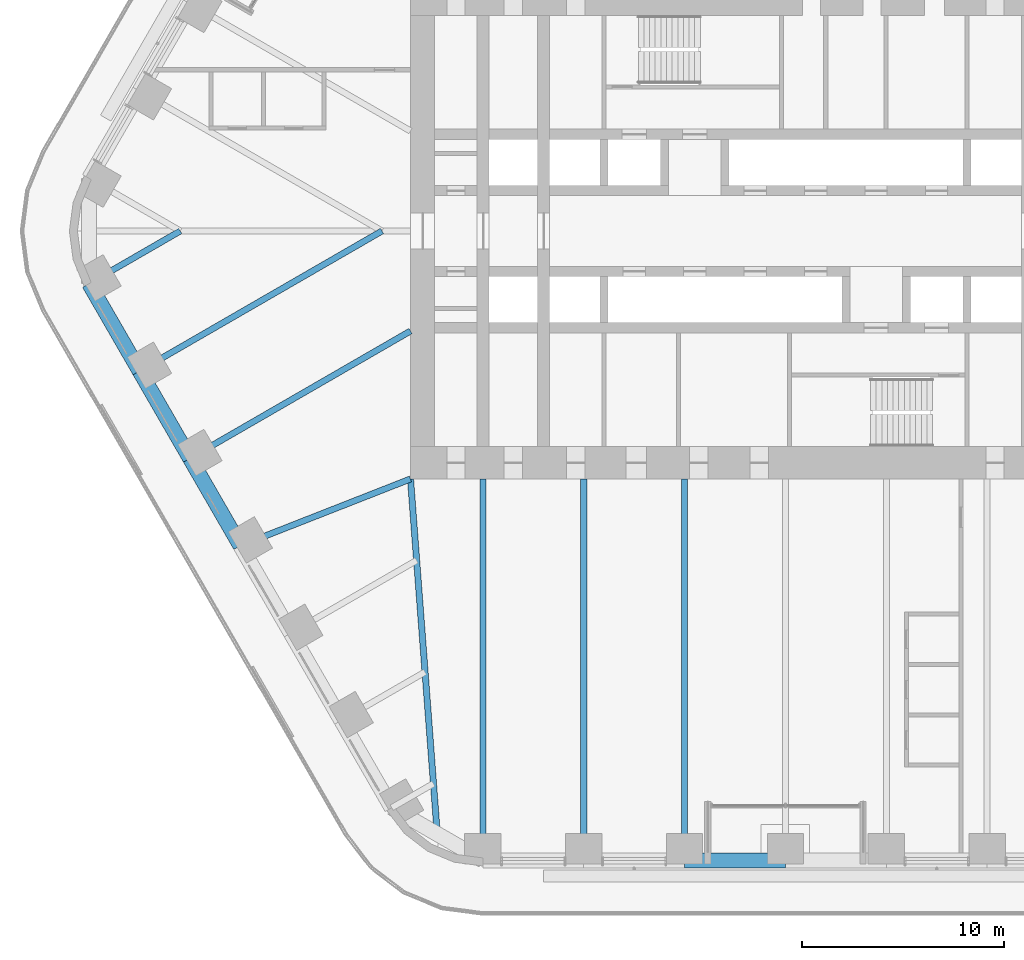
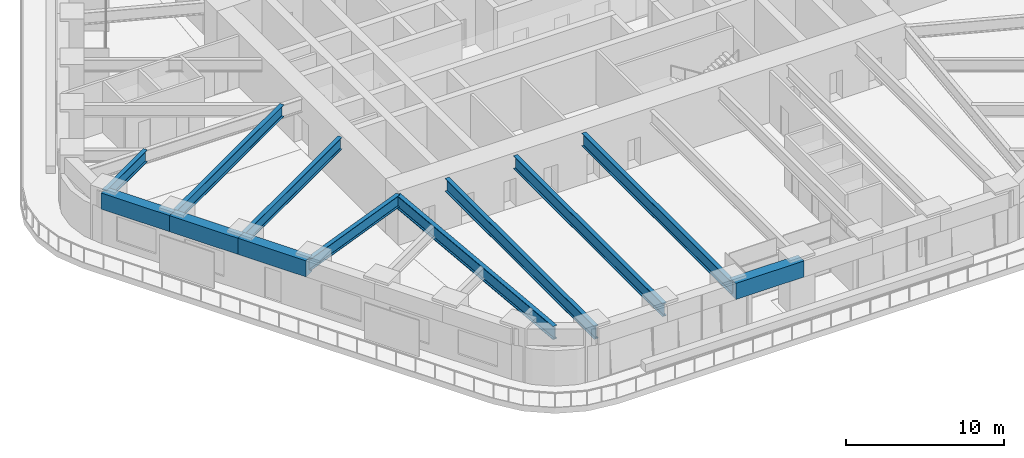
# One storey, part 3 of 24: 12 beams.
"""IFC4 building model written with IfcOpenShell, lengths in metres."""

from ifc_helpers import new_model, si_unit, direction, frame, origin, origin_2d, place, context, subcontext, project, spatial, rectangle, i_section, extrude, material, material_profile, profile_set, type_object, element, save


model = new_model("IFC4")

# Units and contexts
model_context = context("Model", 3, precision=1e-05, world=origin(), true_north=direction((0.0, 1.0)))
body_context = subcontext(model_context, "Body", "Model", "MODEL_VIEW")
ifc_project = project(units=[si_unit("LENGTHUNIT", "METRE"), si_unit("AREAUNIT", "SQUARE_METRE"), si_unit("VOLUMEUNIT", "CUBIC_METRE"), si_unit("PLANEANGLEUNIT", "RADIAN"), si_unit("MASSUNIT", "GRAM", prefix="KILO")], contexts=[model_context])

# Site, building, storey
site_placement = place(None, origin())
site = spatial("IfcSite", under=ifc_project, at=site_placement, CompositionType="ELEMENT")
building_placement = place(site_placement, origin())
building = spatial("IfcBuilding", under=site, at=building_placement, Name="Tarfa Lantern Tower", CompositionType="ELEMENT")
storey_placement = place(building_placement, frame((0.0, 0.0, 136.300048828125)))
storey = spatial("IfcBuildingStorey", under=building, at=storey_placement, Name="L30", CompositionType="ELEMENT", Elevation=136.300048828125)

# Beams
ifc_material_1 = material(Name="Concrete C80/95", Category="concrete")
ifc_material_profile_1 = material_profile(ifc_material_1, rectangle(XDim=0.75, YDim=1.25, at=origin_2d()), Name="RC 750x1250")
ifc_profile_set_1 = profile_set([ifc_material_profile_1], Name="Concrete C80/95")
beam_type_1 = type_object("IfcBeamType", Name="EB2 RC 750x1250", PredefinedType="SPANDREL", material=ifc_profile_set_1)
for number, where, z_axis, x_axis, name in (
    (1, (-34.54296875, -2.610107421875, 3.375), (0.500022324899, -0.866012514114, 0.0), (0.866012514114, 0.500022324899, 0.0), "Edge beam SW0"),
    (2, (-32.041015625, -6.943359375, 3.375), (0.500022324899, -0.866012514114, 0.0), (0.866012514114, 0.500022324899, 0.0), "Edge beam SW1"),
    (3, (-29.5390625, -11.276611328125, 3.375), (0.499964603504, -0.866045838996, 0.0), (0.866045838996, 0.499964603504, 0.0), "Edge beam SW2"),
    (4, (-5.003662109375, -31.219970703125, 3.375), (1.0, 0.0, 0.0), (0.0, 1.0, 0.0), "Edge beam S2"),
):
    element("IfcBeam", number, at=place(storey_placement, frame(where, z_axis=z_axis, x_axis=x_axis)), inside=storey, type_object=beam_type_1, Name=name, PredefinedType="SPANDREL", context=body_context, shape_type="SweptSolid", body=[
        extrude(rectangle(XDim=0.75, YDim=1.25, at=origin_2d()), origin(), (0.0, 0.0, 1.0), 5.003662109375),
    ])
ifc_material_2 = material(Name="Steel S460M", Category="steel")
ifc_material_profile_2 = material_profile(ifc_material_2, i_section(OverallWidth=0.302001953125, OverallDepth=1.008056640625, WebThickness=0.02099609375, FlangeThickness=0.0400390625, FilletRadius=0.030029296875, at=origin_2d()), Name="UB1016x305x349")
ifc_profile_set_2 = profile_set([ifc_material_profile_2], Name="Steel S460M")
beam_type_2 = type_object("IfcBeamType", Name="UB1016x305x349", PredefinedType="BEAM", material=ifc_profile_set_2)
for number, where, z_axis, x_axis, name in (
    (5, (-15.010986328125, -31.219970703125, 3.495849609375), (0.0, 1.0, 0.0), (-1.0, 0.0, 0.0), "Floor beam S0"),
    (6, (-10.00732421875, -31.219970703125, 3.495849609375), (0.0, 1.0, 0.0), (-1.0, 0.0, 0.0), "Floor beam S1"),
    (7, (-5.003662109375, -31.219970703125, 3.495849609375), (0.0, 1.0, 0.0), (-1.0, 0.0, 0.0), "Floor beam S2"),
):
    element("IfcBeam", number, at=place(storey_placement, frame(where, z_axis=z_axis, x_axis=x_axis)), inside=storey, type_object=beam_type_2, Name=name, PredefinedType="BEAM", context=body_context, shape_type="SweptSolid", body=[
        extrude(i_section(OverallWidth=0.302001953125, OverallDepth=1.008056640625, WebThickness=0.02099609375, FlangeThickness=0.0400390625, FilletRadius=0.030029296875, at=origin_2d()), origin(), (0.0, 0.0, 1.0), 18.919921875),
    ])
ifc_material_profile_3 = material_profile(ifc_material_2, i_section(OverallWidth=0.30859375, OverallDepth=1.036376953125, WebThickness=0.030029296875, FlangeThickness=0.05419921875, FilletRadius=0.030029296875, at=origin_2d()), Name="UB1016x305x487")
ifc_profile_set_3 = profile_set([ifc_material_profile_3], Name="Steel S460M")
beam_type_3 = type_object("IfcBeamType", Name="UB1016x305x487", PredefinedType="BEAM", material=ifc_profile_set_3)
beam_1_placement = place(storey_placement, frame((-18.60009765625, -12.300048828125, 3.481689453125), z_axis=(0.075211516041, -0.99716760269, 0.0), x_axis=(0.99716760269, 0.075211516041, 0.0)))
element("IfcBeam", 8, at=beam_1_placement, inside=storey, type_object=beam_type_3, Name="Hip girder SW", PredefinedType="BEAM", context=body_context, shape_type="SweptSolid", body=[
    extrude(i_section(OverallWidth=0.30859375, OverallDepth=1.036376953125, WebThickness=0.030029296875, FlangeThickness=0.05419921875, FilletRadius=0.030029296875, at=origin_2d()), origin(), (0.0, 0.0, 1.0), 17.6650390625),
])
ifc_material_profile_4 = material_profile(ifc_material_2, i_section(OverallWidth=0.305419921875, OverallDepth=0.91845703125, WebThickness=0.017333984375, FlangeThickness=0.02783203125, FilletRadius=0.01904296875, at=origin_2d()), Name="UB914x305x253")
ifc_profile_set_4 = profile_set([ifc_material_profile_4], Name="Steel S460M")
beam_type_4 = type_object("IfcBeamType", Name="UB914x305x253", PredefinedType="BEAM", material=ifc_profile_set_4)
beam_2_placement = place(storey_placement, frame((-34.54296875, -2.610107421875, 3.540771484375), z_axis=(0.866021250859, 0.500007193008, 0.0), x_axis=(-0.500007193008, 0.866021250859, 0.0)))
element("IfcBeam", 9, at=beam_2_placement, inside=storey, type_object=beam_type_4, Name="Floor beam SW0", PredefinedType="BEAM", context=body_context, shape_type="SweptSolid", body=[
    extrude(i_section(OverallWidth=0.305419921875, OverallDepth=0.91845703125, WebThickness=0.017333984375, FlangeThickness=0.02783203125, FilletRadius=0.01904296875, at=origin_2d()), origin(), (0.0, 0.0, 1.0), 5.22021484375),
])
beam_3_placement = place(storey_placement, frame((-32.041015625, -6.943359375, 3.540771484375), z_axis=(0.866023096411, 0.500003996466, 0.0), x_axis=(-0.500003996466, 0.866023096411, 0.0)))
element("IfcBeam", 10, at=beam_3_placement, inside=storey, type_object=beam_type_4, Name="Floor beam SW1", PredefinedType="BEAM", context=body_context, shape_type="SweptSolid", body=[
    extrude(i_section(OverallWidth=0.305419921875, OverallDepth=0.91845703125, WebThickness=0.017333984375, FlangeThickness=0.02783203125, FilletRadius=0.01904296875, at=origin_2d()), origin(), (0.0, 0.0, 1.0), 13.88671875),
])
beam_4_placement = place(storey_placement, frame((-29.5390625, -11.276611328125, 3.540771484375), z_axis=(0.866023362995, 0.500003534735, 0.0), x_axis=(-0.500003534735, 0.866023362995, 0.0)))
element("IfcBeam", 11, at=beam_4_placement, inside=storey, type_object=beam_type_4, Name="Floor beam SW2", PredefinedType="BEAM", context=body_context, shape_type="SweptSolid", body=[
    extrude(i_section(OverallWidth=0.305419921875, OverallDepth=0.91845703125, WebThickness=0.017333984375, FlangeThickness=0.02783203125, FilletRadius=0.01904296875, at=origin_2d()), origin(), (0.0, 0.0, 1.0), 12.63134765625),
])
beam_5_placement = place(storey_placement, frame((-27.037353515625, -15.610107421875, 3.540771484375), z_axis=(0.930923282782, 0.365214788274, 0.0), x_axis=(-0.365214788274, 0.930923282782, 0.0)))
element("IfcBeam", 12, at=beam_5_placement, inside=storey, type_object=beam_type_4, Name="Floor beam SW3", PredefinedType="BEAM", context=body_context, shape_type="SweptSolid", body=[
    extrude(i_section(OverallWidth=0.305419921875, OverallDepth=0.91845703125, WebThickness=0.017333984375, FlangeThickness=0.02783203125, FilletRadius=0.01904296875, at=origin_2d()), origin(), (0.0, 0.0, 1.0), 9.063232421875),
])

save(model, "model.ifc")
